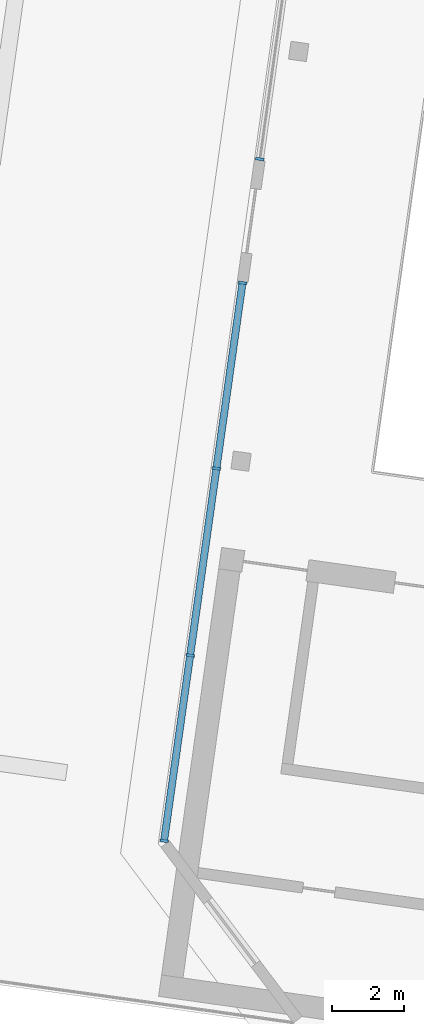
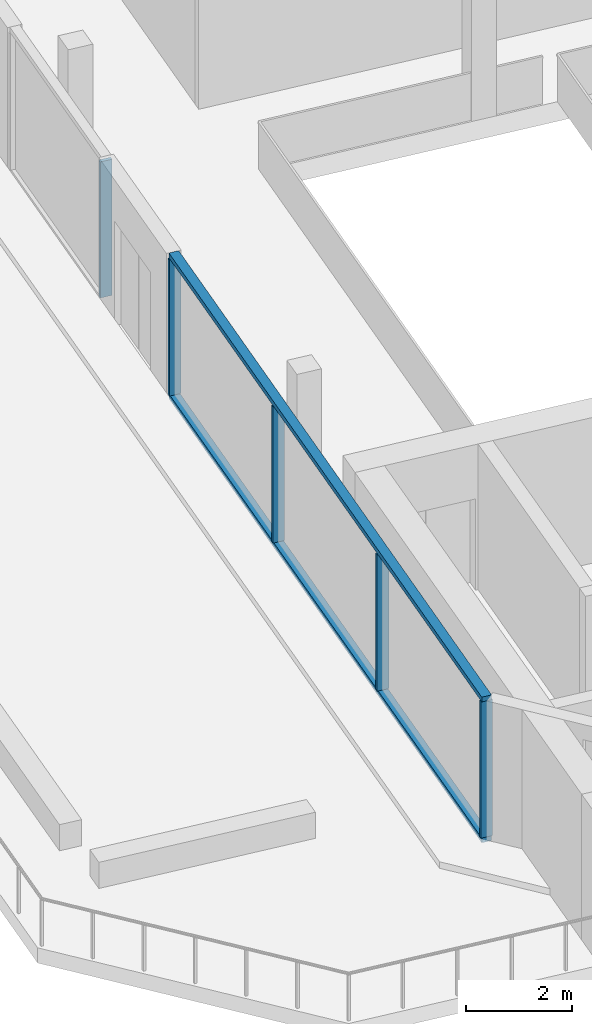
# One storey, part 2 of 19: 7 members, 2 elements without a shape of their own.
"""IFC4 building model written with IfcOpenShell, lengths in metres."""

from ifc_helpers import new_model, si_unit, direction, frame, origin, origin_2d, place, context, subcontext, project, spatial, rectangle, extrude, material, material_profile, profile_set, type_object, element, aggregate, save


model = new_model("IFC4")

# Units and contexts
model_context = context("Model", 3, precision=1e-05, world=origin(), true_north=direction((0.0, 1.0)))
body_context = subcontext(model_context, "Body", "Model", "MODEL_VIEW")
ifc_project = project(units=[si_unit("LENGTHUNIT", "METRE"), si_unit("AREAUNIT", "SQUARE_METRE"), si_unit("VOLUMEUNIT", "CUBIC_METRE"), si_unit("PLANEANGLEUNIT", "RADIAN"), si_unit("MASSUNIT", "GRAM", prefix="KILO")], contexts=[model_context])

# Site, building, storey
site_placement = place(None, origin())
site = spatial("IfcSite", under=ifc_project, at=site_placement, CompositionType="ELEMENT")
building_placement = place(site_placement, origin())
building = spatial("IfcBuilding", under=site, at=building_placement, Name="Mirante Cascada Hotel Towers", CompositionType="ELEMENT")
storey_placement = place(building_placement, frame((0.0, 0.0, 231.8)))
storey = spatial("IfcBuildingStorey", under=building, at=storey_placement, Name="L55", CompositionType="ELEMENT", Elevation=231.8)

# Curtain wall, members
ifc_material_1 = material(Name="Aluminium mullion and transom frame with clear laminated glass", Category="aluminium")
curtain_wall_type = type_object("IfcCurtainWallType", Name="Sky garden curtain wall ECW4", PredefinedType="NOTDEFINED", material=ifc_material_1)
curtain_wall_1_placement = place(storey_placement, origin())
curtain_wall_1 = element("IfcCurtainWall", 1, at=curtain_wall_1_placement, inside=storey, type_object=curtain_wall_type, Name="Sky garden wall T1 L55 run 1", PredefinedType="NOTDEFINED")
ifc_material_2 = material(Name="Anodised aluminium extrusion", Category="aluminium")
ifc_material_profile_1 = material_profile(ifc_material_2, rectangle(XDim=0.24, YDim=0.075, at=origin_2d()), Name="ECW4 MULLION 75x240")
ifc_profile_set_1 = profile_set([ifc_material_profile_1], Name="Anodised aluminium extrusion")
member_type_1 = type_object("IfcMemberType", Name="ECW4 mullion 75x240", PredefinedType="MULLION", material=ifc_profile_set_1)
member_1_placement = place(storey_placement, frame((-67.5053, -11.2709, 0.11), z_axis=(0.0, 0.0, 1.0), x_axis=(-0.9902681, 0.1391731, 0.0)))
member_1 = element("IfcMember", 2, at=member_1_placement, type_object=member_type_1, Name="ECW4 mullion 1", PredefinedType="MULLION", context=body_context, shape_type="SweptSolid", body=[
    extrude(rectangle(XDim=0.24, YDim=0.075, at=origin_2d()), origin(), (0.0, 0.0, 1.0), 3.13),
])
member_2_placement = place(storey_placement, frame((-66.7804, -6.1131, 0.11), z_axis=(0.0, 0.0, 1.0), x_axis=(-0.9902681, 0.1391731, 0.0)))
member_2 = element("IfcMember", 3, at=member_2_placement, type_object=member_type_1, Name="ECW4 mullion 2", PredefinedType="MULLION", context=body_context, shape_type="SweptSolid", body=[
    extrude(rectangle(XDim=0.24, YDim=0.075, at=origin_2d()), origin(), (0.0, 0.0, 1.0), 3.13),
])
member_3_placement = place(storey_placement, frame((-66.0503, -0.9182, 0.11), z_axis=(0.0, 0.0, 1.0), x_axis=(-0.9902681, 0.1391731, 0.0)))
member_3 = element("IfcMember", 4, at=member_3_placement, type_object=member_type_1, Name="ECW4 mullion 3", PredefinedType="MULLION", context=body_context, shape_type="SweptSolid", body=[
    extrude(rectangle(XDim=0.24, YDim=0.075, at=origin_2d()), origin(), (0.0, 0.0, 1.0), 3.13),
])
member_4_placement = place(storey_placement, frame((-65.3254, 4.2396, 0.11), z_axis=(0.0, 0.0, 1.0), x_axis=(-0.9902681, 0.1391731, 0.0)))
member_4 = element("IfcMember", 5, at=member_4_placement, type_object=member_type_1, Name="ECW4 mullion 4", PredefinedType="MULLION", context=body_context, shape_type="SweptSolid", body=[
    extrude(rectangle(XDim=0.24, YDim=0.075, at=origin_2d()), origin(), (0.0, 0.0, 1.0), 3.13),
])

# Curtain wall, member
curtain_wall_2_placement = place(storey_placement, origin())
curtain_wall_2 = element("IfcCurtainWall", 6, at=curtain_wall_2_placement, inside=storey, type_object=curtain_wall_type, Name="Sky garden wall T1 L55 run 3", PredefinedType="NOTDEFINED")
member_5_placement = place(storey_placement, frame((-64.8418, 7.6808, 0.11), z_axis=(0.0, 0.0, 1.0), x_axis=(-0.9902681, 0.1391731, 0.0)))
member_5 = element("IfcMember", 7, at=member_5_placement, type_object=member_type_1, Name="ECW4 mullion 1", PredefinedType="MULLION", context=body_context, shape_type="SweptSolid", body=[
    extrude(rectangle(XDim=0.24, YDim=0.075, at=origin_2d()), origin(), (0.0, 0.0, 1.0), 3.13),
])
aggregate(curtain_wall_2, [member_5])

# Member
ifc_material_3 = material(Name="Anodised aluminium extrusion", Category="aluminium")
ifc_material_profile_2 = material_profile(ifc_material_3, rectangle(XDim=0.2, YDim=0.11, at=origin_2d()), Name="ECW4 TRANSOM 110x200")
ifc_profile_set_2 = profile_set([ifc_material_profile_2], Name="Anodised aluminium extrusion")
member_type_2 = type_object("IfcMemberType", Name="ECW4 transom 110x200", PredefinedType="USERDEFINED", material=ifc_profile_set_2)
member_6_placement = place(storey_placement, frame((-67.5105, -11.308, 0.055), z_axis=(0.1391739, 0.990268, 0.0), x_axis=(-0.990268, 0.1391739, 0.0)))
member_6 = element("IfcMember", 8, at=member_6_placement, type_object=member_type_2, Name="ECW4 sill transom", ObjectType="TRANSOM", PredefinedType="USERDEFINED", context=body_context, shape_type="SweptSolid", body=[
    extrude(rectangle(XDim=0.2, YDim=0.11, at=origin_2d()), origin(), (0.0, 0.0, 1.0), 15.7379),
])

member_7_placement = place(storey_placement, frame((-67.5105, -11.308, 3.295), z_axis=(0.1391739, 0.990268, 0.0), x_axis=(-0.990268, 0.1391739, 0.0)))
member_7 = element("IfcMember", 9, at=member_7_placement, type_object=member_type_2, Name="ECW4 head transom", ObjectType="TRANSOM", PredefinedType="USERDEFINED", context=body_context, shape_type="SweptSolid", body=[
    extrude(rectangle(XDim=0.2, YDim=0.11, at=origin_2d()), origin(), (0.0, 0.0, 1.0), 15.7379),
])

aggregate(curtain_wall_1, [member_6, member_7, member_1, member_2, member_3, member_4])

save(model, "model.ifc")
